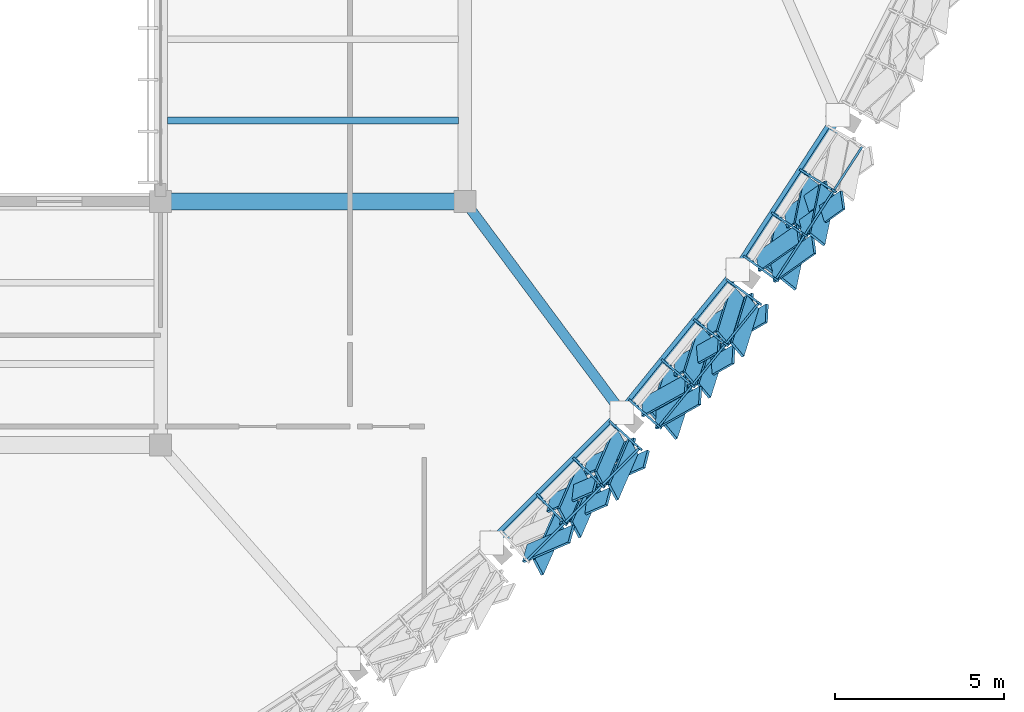
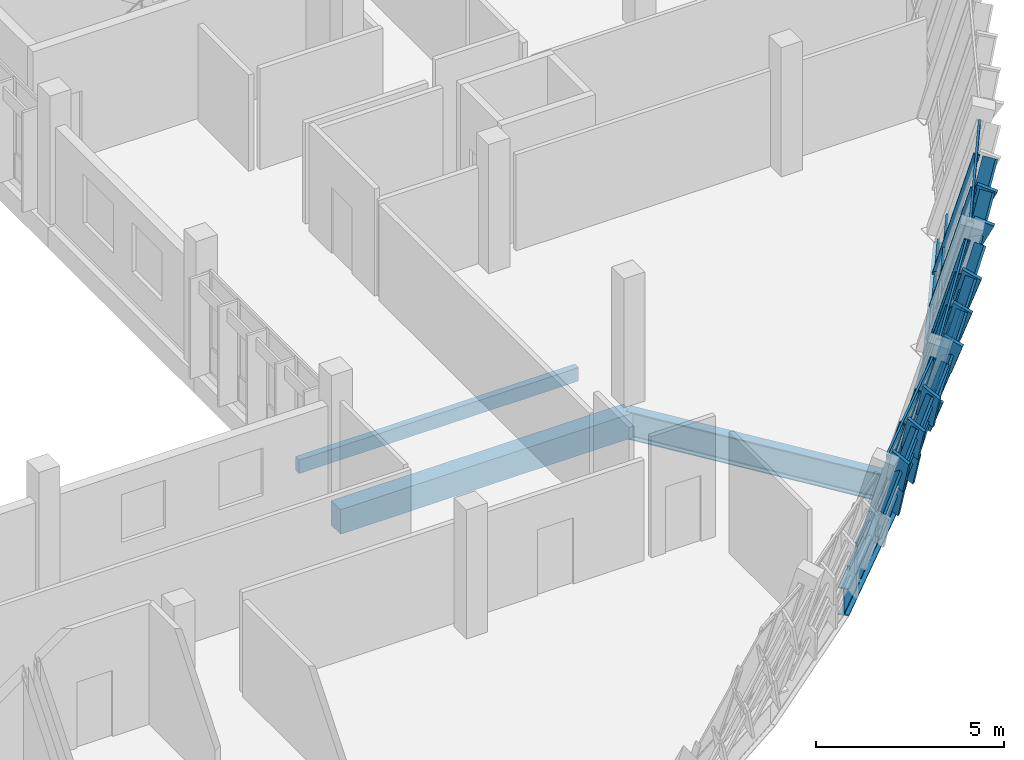
# One storey, part 92 of 182: 49 members, 6 beams, 3 elements without a shape of their own.
"""IFC4 building model written with IfcOpenShell, lengths in metres."""

import ifcopenshell
import ifcopenshell.guid

model = None  # the IFC model being written
_history = None  # IfcOwnerHistory: only IFC2X3 demands one
_inside = {}  # id of a spatial element -> (the spatial element, [elements in it])
_under = {}  # id of a project, library or spatial element -> (it, [spatial elements below it])
_declared = {}  # id of a project -> (the project, [libraries it declares])
_typed = {}  # id of a type object -> (the type object, [elements of that type])
_made_of = {}  # id of a material, layer set ... -> (it, [elements and type objects made of it])


def new_model(schema):
    """Start an empty IFC model of exactly this schema.

    Asked for "IFC4X3", IfcOpenShell would pick the latest addendum, in which some entities
    have other attributes; the version numbers below select the first issue.
    IFC2X3 requires an IfcOwnerHistory on every rooted entity: one is made here for all.
    """
    global model, _history
    if schema == "IFC4X3":
        model = ifcopenshell.file(schema_version=(4, 3, 0, 0))
    else:
        model = ifcopenshell.file(schema=schema)
    _inside.clear()
    _under.clear()
    _declared.clear()
    _typed.clear()
    _made_of.clear()
    _history = None
    if model.schema == "IFC2X3":
        org = make("IfcOrganization", Name="unknown")
        user = make(
            "IfcPersonAndOrganization",
            ThePerson=make("IfcPerson", FamilyName="unknown"),
            TheOrganization=org,
        )
        app = make(
            "IfcApplication",
            ApplicationDeveloper=org,
            Version="unknown",
            ApplicationFullName="unknown",
            ApplicationIdentifier="unknown",
        )
        _history = make(
            "IfcOwnerHistory",
            OwningUser=user,
            OwningApplication=app,
            ChangeAction="ADDED",
            CreationDate=0,
        )
    return model


def make(cls, **values):
    """One entity of the class cls with the attributes given. An attribute that is None is left unset."""
    return model.create_entity(
        cls, **{name: value for name, value in values.items() if value is not None}
    )


def rooted(cls, **values):
    """An entity with a GlobalId (a new one), such as an element, a storey or a relation."""
    return make(cls, GlobalId=ifcopenshell.guid.new(), OwnerHistory=_history, **values)


def si_unit(unit_type, name, prefix=None):
    """IfcSIUnit, for example si_unit("LENGTHUNIT", "METRE", prefix="MILLI")."""
    return make("IfcSIUnit", UnitType=unit_type, Prefix=prefix, Name=name)


def assignment(units):
    """IfcUnitAssignment: the units of a project."""
    return None if units is None else make("IfcUnitAssignment", Units=units)


def point(xyz):
    """IfcCartesianPoint."""
    return None if xyz is None else make("IfcCartesianPoint", Coordinates=xyz)


def direction(xyz):
    """IfcDirection."""
    return None if xyz is None else make("IfcDirection", DirectionRatios=xyz)


def frame(location, z_axis=None, x_axis=None):
    """IfcAxis2Placement3D, a coordinate frame: its origin and axes. An axis left out is left unset."""
    return make(
        "IfcAxis2Placement3D",
        Location=point(location),
        Axis=direction(z_axis),
        RefDirection=direction(x_axis),
    )


def frame_2d(location, x_axis=None):
    """IfcAxis2Placement2D, a coordinate frame in the plane: its origin and x axis."""
    return make(
        "IfcAxis2Placement2D", Location=point(location), RefDirection=direction(x_axis)
    )


def origin():
    """The frame at (0, 0, 0) with its axes left unset."""
    return frame((0.0, 0.0, 0.0))


def origin_2d():
    """The frame at (0, 0) in the plane with its x axis left unset."""
    return frame_2d((0.0, 0.0))


def place(relative_to, where):
    """IfcLocalPlacement: puts the frame where relative to a parent placement (None: the world)."""
    return make(
        "IfcLocalPlacement", PlacementRelTo=relative_to, RelativePlacement=where
    )


def context(
    kind, dimensions, precision=None, world=None, true_north=None, identifier=None
):
    """IfcGeometricRepresentationContext, for example the 3D "Model" context."""
    return make(
        "IfcGeometricRepresentationContext",
        ContextIdentifier=identifier,
        ContextType=kind,
        CoordinateSpaceDimension=dimensions,
        Precision=precision,
        WorldCoordinateSystem=world,
        TrueNorth=true_north,
    )


def subcontext(parent, identifier, kind, view, scale=None):
    """IfcGeometricRepresentationSubContext, for example "Body" below "Model"."""
    return make(
        "IfcGeometricRepresentationSubContext",
        ContextIdentifier=identifier,
        ContextType=kind,
        ParentContext=parent,
        TargetScale=scale,
        TargetView=view,
    )


def project(units=None, contexts=None):
    """IfcProject with its units and contexts."""
    return rooted(
        "IfcProject",
        Name="project",
        RepresentationContexts=contexts,
        UnitsInContext=assignment(units),
    )


def spatial(cls, under=None, at=None, **own):
    """A site, building, storey or space (cls), placed at a placement, below another one or the project."""
    s = rooted(cls, ObjectPlacement=at, **own)
    if under is not None:
        _under.setdefault(under.id(), (under, []))[1].append(s)
    return s


def profile(cls, at=None, kind="AREA", **sizes):
    """A parametric profile (cls). Its sizes go by their IFC names, for example OverallWidth=200.0."""
    return make(cls, ProfileType=kind, Position=at, **sizes)


def rectangle(**sizes):
    """IfcRectangleProfileDef."""
    return profile("IfcRectangleProfileDef", **sizes)


def hollow_rectangle(**sizes):
    """IfcRectangleHollowProfileDef."""
    return profile("IfcRectangleHollowProfileDef", **sizes)


def i_section(**sizes):
    """IfcIShapeProfileDef."""
    return profile("IfcIShapeProfileDef", **sizes)


def extrude(swept, where, along, depth):
    """IfcExtrudedAreaSolid: the profile swept, set in the frame where, extruded along a direction by depth."""
    return make(
        "IfcExtrudedAreaSolid",
        SweptArea=swept,
        Position=where,
        ExtrudedDirection=direction(along),
        Depth=depth,
    )


def shape(context_of_items, identifier, shape_type, items):
    """IfcShapeRepresentation: the items that make up one representation, for example the "Body"."""
    return make(
        "IfcShapeRepresentation",
        ContextOfItems=context_of_items,
        RepresentationIdentifier=identifier,
        RepresentationType=shape_type,
        Items=items,
    )


def material(Name=None, Category=None):
    """IfcMaterial."""
    return make("IfcMaterial", Name=Name, Category=Category)


def material_profile(
    of_material, cross_section, Name=None, Category=None, Priority=None
):
    """IfcMaterialProfile: a cross section and its material."""
    return make(
        "IfcMaterialProfile",
        Name=Name,
        Material=of_material,
        Profile=cross_section,
        Priority=Priority,
        Category=Category,
    )


def profile_set(profiles, Name=None, composite=None):
    """IfcMaterialProfileSet."""
    return make(
        "IfcMaterialProfileSet",
        Name=Name,
        MaterialProfiles=profiles,
        CompositeProfile=composite,
    )


def made_of(thing, what):
    """Note that an element or type object is made of a material, layer set ...; save() writes the relation."""
    if what is not None:
        _made_of.setdefault(what.id(), (what, []))[1].append(thing)
    return thing


def type_object(cls, material=None, **own):
    """A type object (cls), such as IfcWallType, which elements share."""
    return made_of(rooted(cls, **own), material)


def element(
    cls,
    number,
    at=None,
    inside=None,
    cuts=None,
    type_object=None,
    material=None,
    context=None,
    identifier="Body",
    shape_type=None,
    held_by="IfcProductDefinitionShape",
    body=None,
    shapes=None,
    **own,
):
    """One element of the class cls, such as IfcWall. Its Tag is "e" and its number.

    at: its placement. inside: the storey or other place that contains it. cuts: it is an
    opening in that element (IfcRelVoidsElement). A single representation is given by context,
    identifier, shape_type and body (its items); several are given by shapes. held_by: the class
    of the entity that holds the representations. save() writes the other relations.
    """
    e = rooted(cls, Tag="e%d" % number, ObjectPlacement=at, **own)
    if body is not None:
        shapes = [shape(context, identifier, shape_type, body)]
    if shapes is not None:
        e.Representation = make(held_by, Representations=shapes)
    if inside is not None:
        _inside.setdefault(inside.id(), (inside, []))[1].append(e)
    if cuts is not None:
        rooted(
            "IfcRelVoidsElement", RelatingBuildingElement=cuts, RelatedOpeningElement=e
        )
    if type_object is not None:
        _typed.setdefault(type_object.id(), (type_object, []))[1].append(e)
    return made_of(e, material)


def aggregate(whole, parts):
    """IfcRelAggregates: a whole, such as a stair, and the parts it consists of."""
    return rooted("IfcRelAggregates", RelatingObject=whole, RelatedObjects=parts)


def save(model, path):
    """Write the relations noted so far, then the file.

    IfcRelAggregates (storeys below a building ...), IfcRelContainedInSpatialStructure (elements
    in a storey), IfcRelDefinesByType, IfcRelAssociatesMaterial and IfcRelDeclares: one each for
    every whole, place, type object, material and project.
    """
    for whole, parts in _under.values():
        aggregate(whole, parts)
    for where, things in _inside.values():
        rooted(
            "IfcRelContainedInSpatialStructure",
            RelatedElements=things,
            RelatingStructure=where,
        )
    for kind, things in _typed.values():
        rooted("IfcRelDefinesByType", RelatedObjects=things, RelatingType=kind)
    for what, things in _made_of.values():
        rooted("IfcRelAssociatesMaterial", RelatedObjects=things, RelatingMaterial=what)
    for by, libraries in _declared.values():
        rooted("IfcRelDeclares", RelatingContext=by, RelatedDefinitions=libraries)
    model.write(path)


model = new_model("IFC4")

# Units and contexts
model_context = context("Model", 3, precision=1e-05, world=origin(), true_north=direction((0.0, 1.0)))
body_context = subcontext(model_context, "Body", "Model", "MODEL_VIEW")
ifc_project = project(units=[si_unit("LENGTHUNIT", "METRE"), si_unit("AREAUNIT", "SQUARE_METRE"), si_unit("VOLUMEUNIT", "CUBIC_METRE"), si_unit("PLANEANGLEUNIT", "RADIAN"), si_unit("MASSUNIT", "GRAM", prefix="KILO")], contexts=[model_context])

# Site, building, storey
site_placement = place(None, origin())
site = spatial("IfcSite", under=ifc_project, at=site_placement, CompositionType="ELEMENT")
building_placement = place(site_placement, origin())
building = spatial("IfcBuilding", under=site, at=building_placement, Name="Chiffa Square Polytechnic", CompositionType="ELEMENT")
storey_placement = place(building_placement, frame((0.0, 0.0, 9.60009765625)))
storey = spatial("IfcBuildingStorey", under=building, at=storey_placement, Name="L02", CompositionType="ELEMENT", Elevation=9.60009765625)

# Beam
ifc_material_1 = material(Name="Concrete C40/50", Category="concrete")
ifc_material_profile_1 = material_profile(ifc_material_1, rectangle(XDim=0.5, YDim=0.800048828125, at=origin_2d()), Name="RC 500x800")
ifc_profile_set_1 = profile_set([ifc_material_profile_1], Name="Concrete C40/50")
beam_type_1 = type_object("IfcBeamType", Name="BM-RC-500X800", PredefinedType="BEAM", material=ifc_profile_set_1)
beam_1_placement = place(storey_placement, frame((148.199951171875, 28.800048828125, -0.72021484375), z_axis=(1.0, 0.0, 0.0), x_axis=(0.0, 1.0, 0.0)))
element("IfcBeam", 1, at=beam_1_placement, inside=storey, type_object=beam_type_1, Name="Primary floor girder BM-V1-L02-X-1482-0288", PredefinedType="BEAM", context=body_context, shape_type="SweptSolid", body=[
    extrude(rectangle(XDim=0.5, YDim=0.800048828125, at=origin_2d()), origin(), (0.0, 0.0, 1.0), 9.0),
])

# Curtain wall, members
ifc_material_2 = material(Name="Aluminium EN AW-6060 T66 and glulam shading", Category="wood")
curtain_wall_type_1 = type_object("IfcCurtainWallType", Name="CW-PROW-LEAN-300", PredefinedType="USERDEFINED", material=ifc_material_2)
curtain_wall_1_placement = place(storey_placement, origin())
curtain_wall_1 = element("IfcCurtainWall", 2, at=curtain_wall_1_placement, inside=storey, type_object=curtain_wall_type_1, Name="Outward-leaning diamond-fin prow curtain wall CW-V1-L02-036", ObjectType="CURTAIN WALL", PredefinedType="USERDEFINED")
ifc_material_3 = material(Name="Aluminium EN AW-6060 T66", Category="aluminium")
ifc_material_profile_2 = material_profile(ifc_material_3, hollow_rectangle(XDim=0.06494140625, YDim=0.179931640625, WallThickness=0.00390625, at=origin_2d()), Name="ALU 65x180x4")
ifc_profile_set_2 = profile_set([ifc_material_profile_2], Name="Aluminium EN AW-6060 T66")
member_type_1 = type_object("IfcMemberType", Name="CWM-ALU-75X180", PredefinedType="MULLION", material=ifc_profile_set_2)
member_1_placement = place(storey_placement, frame((159.37939453125, 20.09033203125, 0.0), z_axis=(0.188854549934, -0.195533334144, 0.962341246236), x_axis=(0.719284277931, 0.694715860997, 0.0)))
member_1 = element("IfcMember", 3, at=member_1_placement, type_object=member_type_1, Name="Leaning prow mullion CW-V1-L02-036-M01", PredefinedType="MULLION", context=body_context, shape_type="SweptSolid", body=[
    extrude(hollow_rectangle(XDim=0.06494140625, YDim=0.179931640625, WallThickness=0.00390625, at=origin_2d()), origin(), (0.0, 0.0, 1.0), 4.09423828125),
])
member_2_placement = place(storey_placement, frame((160.459716796875, 21.170654296875, 0.0), z_axis=(0.195531131781, -0.188912054127, 0.962330407038), x_axis=(0.694829325761, 0.719174671455, 0.0)))
member_2 = element("IfcMember", 4, at=member_2_placement, type_object=member_type_1, Name="Leaning prow mullion CW-V1-L02-036-M02", PredefinedType="MULLION", context=body_context, shape_type="SweptSolid", body=[
    extrude(hollow_rectangle(XDim=0.06494140625, YDim=0.179931640625, WallThickness=0.00390625, at=origin_2d()), origin(), (0.0, 0.0, 1.0), 4.09423828125),
])
member_3_placement = place(storey_placement, frame((161.5400390625, 22.2509765625, 0.0), z_axis=(0.202191884487, -0.182217162782, 0.962244951889), x_axis=(0.669460805773, 0.742847379704, 0.0)))
member_3 = element("IfcMember", 5, at=member_3_placement, type_object=member_type_1, Name="Leaning prow mullion CW-V1-L02-036-M03", PredefinedType="MULLION", context=body_context, shape_type="SweptSolid", body=[
    extrude(hollow_rectangle(XDim=0.06494140625, YDim=0.179931640625, WallThickness=0.00390625, at=origin_2d()), origin(), (0.0, 0.0, 1.0), 4.094482421875),
])

curtain_wall_type_2 = type_object("IfcCurtainWallType", Name="CW-PROW-LEAN-150", PredefinedType="USERDEFINED", material=ifc_material_2)
curtain_wall_2_placement = place(storey_placement, origin())
curtain_wall_2 = element("IfcCurtainWall", 6, at=curtain_wall_2_placement, inside=storey, type_object=curtain_wall_type_2, Name="Outward-leaning diamond-fin prow curtain wall CW-V1-L02-037", ObjectType="CURTAIN WALL", PredefinedType="USERDEFINED")
member_4_placement = place(storey_placement, frame((162.114990234375, 22.888916015625, 0.0), z_axis=(0.202251268919, -0.182157319148, 0.962243802423), x_axis=(0.669230950529, 0.743054462912, 0.0)))
member_4 = element("IfcMember", 7, at=member_4_placement, type_object=member_type_1, Name="Leaning prow mullion CW-V1-L02-037-M00", PredefinedType="MULLION", context=body_context, shape_type="SweptSolid", body=[
    extrude(hollow_rectangle(XDim=0.06494140625, YDim=0.179931640625, WallThickness=0.00390625, at=origin_2d()), origin(), (0.0, 0.0, 1.0), 4.094482421875),
])
member_5_placement = place(storey_placement, frame((163.075927734375, 24.076416015625, 0.0), z_axis=(0.208288678382, -0.17483607358, 0.962313968429), x_axis=(0.642919492467, 0.765933760978, 0.0)))
member_5 = element("IfcMember", 8, at=member_5_placement, type_object=member_type_1, Name="Leaning prow mullion CW-V1-L02-037-M01", PredefinedType="MULLION", context=body_context, shape_type="SweptSolid", body=[
    extrude(hollow_rectangle(XDim=0.06494140625, YDim=0.179931640625, WallThickness=0.00390625, at=origin_2d()), origin(), (0.0, 0.0, 1.0), 4.09423828125),
])
member_6_placement = place(storey_placement, frame((164.037109375, 25.263671875, 0.0), z_axis=(0.214255052151, -0.167384896017, 0.962328981801), x_axis=(0.615639785846, 0.788027698805, 0.0)))
member_6 = element("IfcMember", 9, at=member_6_placement, type_object=member_type_1, Name="Leaning prow mullion CW-V1-L02-037-M02", PredefinedType="MULLION", context=body_context, shape_type="SweptSolid", body=[
    extrude(hollow_rectangle(XDim=0.06494140625, YDim=0.179931640625, WallThickness=0.00390625, at=origin_2d()), origin(), (0.0, 0.0, 1.0), 4.09423828125),
])
member_7_placement = place(storey_placement, frame((164.998046875, 26.450927734375, 0.0), z_axis=(0.220256181595, -0.159974914786, 0.962234504218), x_axis=(0.587663663531, 0.809105319823, 0.0)))
member_7 = element("IfcMember", 10, at=member_7_placement, type_object=member_type_1, Name="Leaning prow mullion CW-V1-L02-037-M03", PredefinedType="MULLION", context=body_context, shape_type="SweptSolid", body=[
    extrude(hollow_rectangle(XDim=0.06494140625, YDim=0.179931640625, WallThickness=0.00390625, at=origin_2d()), origin(), (0.0, 0.0, 1.0), 4.094482421875),
])

curtain_wall_3_placement = place(storey_placement, origin())
curtain_wall_3 = element("IfcCurtainWall", 11, at=curtain_wall_3_placement, inside=storey, type_object=curtain_wall_type_1, Name="Outward-leaning diamond-fin prow curtain wall CW-V1-L02-038", ObjectType="CURTAIN WALL", PredefinedType="USERDEFINED")
member_8_placement = place(storey_placement, frame((165.5029296875, 27.14599609375, 0.0), z_axis=(0.220312913271, -0.159972813615, 0.962221865866), x_axis=(0.587559531247, 0.809180942213, 0.0)))
member_8 = element("IfcMember", 12, at=member_8_placement, type_object=member_type_1, Name="Leaning prow mullion CW-V1-L02-038-M00", PredefinedType="MULLION", context=body_context, shape_type="SweptSolid", body=[
    extrude(hollow_rectangle(XDim=0.06494140625, YDim=0.179931640625, WallThickness=0.00390625, at=origin_2d()), origin(), (0.0, 0.0, 1.0), 4.0947265625),
])
member_9_placement = place(storey_placement, frame((166.3349609375, 28.427001953125, 0.0), z_axis=(0.225520534545, -0.151996785446, 0.962308404677), x_axis=(0.558892795638, 0.829239918832, 0.0)))
member_9 = element("IfcMember", 13, at=member_9_placement, type_object=member_type_1, Name="Leaning prow mullion CW-V1-L02-038-M01", PredefinedType="MULLION", context=body_context, shape_type="SweptSolid", body=[
    extrude(hollow_rectangle(XDim=0.06494140625, YDim=0.179931640625, WallThickness=0.00390625, at=origin_2d()), origin(), (0.0, 0.0, 1.0), 4.09423828125),
])
member_10_placement = place(storey_placement, frame((167.1669921875, 29.7080078125, 0.0), z_axis=(0.230764607448, -0.144004270539, 0.962294375966), x_axis=(0.529407665809, 0.848367563844, 0.0)))
member_10 = element("IfcMember", 14, at=member_10_placement, type_object=member_type_1, Name="Leaning prow mullion CW-V1-L02-038-M02", PredefinedType="MULLION", context=body_context, shape_type="SweptSolid", body=[
    extrude(hollow_rectangle(XDim=0.06494140625, YDim=0.179931640625, WallThickness=0.00390625, at=origin_2d()), origin(), (0.0, 0.0, 1.0), 4.09423828125),
])

# Member
ifc_material_4 = material(Name="Glulam GL28h", Category="wood")
ifc_material_profile_3 = material_profile(ifc_material_4, rectangle(XDim=0.080078125, YDim=0.580078125, at=origin_2d()), Name="GL28h 80x580")
ifc_profile_set_3 = profile_set([ifc_material_profile_3], Name="Glulam GL28h")
member_type_2 = type_object("IfcMemberType", Name="CWM-GL-80X580", PredefinedType="MULLION", material=ifc_profile_set_3)
member_11_placement = place(storey_placement, frame((158.9970703125, 18.39111328125, 1.969970703125), z_axis=(0.557101951485, 0.239318443948, 0.795213240608), x_axis=(-0.795742594699, 0.427756673825, 0.428739957294)))
member_11 = element("IfcMember", 15, at=member_11_placement, type_object=member_type_2, Name="Diamond glulam fin CW-V1-L02-036-DF02A", PredefinedType="MULLION", context=body_context, shape_type="SweptSolid", body=[
    extrude(rectangle(XDim=0.080078125, YDim=0.580078125, at=origin_2d()), origin(), (0.0, 0.0, 1.0), 2.427001953125),
])

member_12_placement = place(storey_placement, frame((159.970947265625, 19.364990234375, 1.969970703125), z_axis=(-0.248269882768, -0.563143894729, 0.788182097703), x_axis=(0.871846185402, 0.224721468867, 0.435183283721)))
member_12 = element("IfcMember", 16, at=member_12_placement, type_object=member_type_2, Name="Diamond glulam fin CW-V1-L02-036-DF02B", PredefinedType="MULLION", context=body_context, shape_type="SweptSolid", body=[
    extrude(rectangle(XDim=0.080078125, YDim=0.580078125, at=origin_2d()), origin(), (0.0, 0.0, 1.0), 2.448486328125),
])

member_13_placement = place(storey_placement, frame((159.7119140625, 19.8759765625, 0.039794921875), z_axis=(0.557213918904, 0.24009867166, 0.794899538588), x_axis=(-0.796012640995, 0.426961958024, 0.429030723581)))
member_13 = element("IfcMember", 17, at=member_13_placement, type_object=member_type_2, Name="Diamond glulam fin CW-V1-L02-036-DF03A", PredefinedType="MULLION", context=body_context, shape_type="SweptSolid", body=[
    extrude(rectangle(XDim=0.080078125, YDim=0.580078125, at=origin_2d()), origin(), (0.0, 0.0, 1.0), 2.42822265625),
])

member_14_placement = place(storey_placement, frame((160.674072265625, 20.837890625, 0.039794921875), z_axis=(-0.240112122967, -0.557144586833, 0.7949440721), x_axis=(0.871839936154, 0.236353896965, 0.428989465042)))
member_14 = element("IfcMember", 18, at=member_14_placement, type_object=member_type_2, Name="Diamond glulam fin CW-V1-L02-036-DF03B", PredefinedType="MULLION", context=body_context, shape_type="SweptSolid", body=[
    extrude(rectangle(XDim=0.080078125, YDim=0.580078125, at=origin_2d()), origin(), (0.0, 0.0, 1.0), 2.427978515625),
])

member_15_placement = place(storey_placement, frame((160.091064453125, 19.485107421875, 1.969970703125), z_axis=(0.56003099934, 0.243705137077, 0.791816320835), x_axis=(-0.795544469648, 0.424965339508, 0.431872037796)))
member_15 = element("IfcMember", 19, at=member_15_placement, type_object=member_type_2, Name="Diamond glulam fin CW-V1-L02-036-DF04A", PredefinedType="MULLION", context=body_context, shape_type="SweptSolid", body=[
    extrude(rectangle(XDim=0.080078125, YDim=0.580078125, at=origin_2d()), origin(), (0.0, 0.0, 1.0), 2.437255859375),
])

member_16_placement = place(storey_placement, frame((161.06494140625, 20.458984375, 1.969970703125), z_axis=(-0.243705137077, -0.56003099934, 0.791816320835), x_axis=(0.871786823931, 0.231245057441, 0.431872037796)))
member_16 = element("IfcMember", 20, at=member_16_placement, type_object=member_type_2, Name="Diamond glulam fin CW-V1-L02-036-DF04B", PredefinedType="MULLION", context=body_context, shape_type="SweptSolid", body=[
    extrude(rectangle(XDim=0.080078125, YDim=0.580078125, at=origin_2d()), origin(), (0.0, 0.0, 1.0), 2.437255859375),
])

member_17_placement = place(storey_placement, frame((160.7919921875, 20.95703125, 0.039794921875), z_axis=(0.560426717982, 0.244329633612, 0.791343745734), x_axis=(-0.795526248607, 0.424559123955, 0.432304913278)))
member_17 = element("IfcMember", 21, at=member_17_placement, type_object=member_type_2, Name="Diamond glulam fin CW-V1-L02-036-DF05A", PredefinedType="MULLION", context=body_context, shape_type="SweptSolid", body=[
    extrude(rectangle(XDim=0.080078125, YDim=0.580078125, at=origin_2d()), origin(), (0.0, 0.0, 1.0), 2.439208984375),
])

member_18_placement = place(storey_placement, frame((161.75390625, 21.9189453125, 0.039794921875), z_axis=(-0.235303267787, -0.554225035887, 0.798415294045), x_axis=(0.871506410412, 0.243331188905, 0.425754047682)))
member_18 = element("IfcMember", 22, at=member_18_placement, type_object=member_type_2, Name="Diamond glulam fin CW-V1-L02-036-DF05B", PredefinedType="MULLION", context=body_context, shape_type="SweptSolid", body=[
    extrude(rectangle(XDim=0.080078125, YDim=0.580078125, at=origin_2d()), origin(), (0.0, 0.0, 1.0), 2.41748046875),
])

member_19_placement = place(storey_placement, frame((161.18505859375, 20.5791015625, 1.969970703125), z_axis=(0.563143894729, 0.248269882768, 0.788182097703), x_axis=(-0.795216458117, 0.422192248046, 0.435183283721)))
member_19 = element("IfcMember", 23, at=member_19_placement, type_object=member_type_2, Name="Diamond glulam fin CW-V1-L02-036-DF06A", PredefinedType="MULLION", context=body_context, shape_type="SweptSolid", body=[
    extrude(rectangle(XDim=0.080078125, YDim=0.580078125, at=origin_2d()), origin(), (0.0, 0.0, 1.0), 2.448486328125),
])

member_20_placement = place(storey_placement, frame((162.158935546875, 21.552978515625, 1.969970703125), z_axis=(-0.239413275278, -0.55708853718, 0.795194092887), x_axis=(0.871667768328, 0.237407085696, 0.428757714005)))
member_20 = element("IfcMember", 24, at=member_20_placement, type_object=member_type_2, Name="Diamond glulam fin CW-V1-L02-036-DF06B", PredefinedType="MULLION", context=body_context, shape_type="SweptSolid", body=[
    extrude(rectangle(XDim=0.080078125, YDim=0.580078125, at=origin_2d()), origin(), (0.0, 0.0, 1.0), 2.427001953125),
])

member_21_placement = place(storey_placement, frame((162.468017578125, 22.7109375, 0.039794921875), z_axis=(0.526317725768, 0.291747714399, 0.798669470235), x_axis=(-0.847963773591, 0.249496840767, 0.467663089334)))
member_21 = element("IfcMember", 25, at=member_21_placement, type_object=member_type_2, Name="Diamond glulam fin CW-V1-L02-037-DF01A", PredefinedType="MULLION", context=body_context, shape_type="SweptSolid", body=[
    extrude(rectangle(XDim=0.080078125, YDim=0.580078125, at=origin_2d()), origin(), (0.0, 0.0, 1.0), 2.416748046875),
])

member_22_placement = place(storey_placement, frame((163.322998046875, 23.76806640625, 0.039794921875), z_axis=(-0.184068147587, -0.58303260451, 0.791322879185), x_axis=(0.785267437686, 0.396977913395, 0.475145859275)))
member_22 = element("IfcMember", 26, at=member_22_placement, type_object=member_type_2, Name="Diamond glulam fin CW-V1-L02-037-DF01B", PredefinedType="MULLION", context=body_context, shape_type="SweptSolid", body=[
    extrude(rectangle(XDim=0.080078125, YDim=0.580078125, at=origin_2d()), origin(), (0.0, 0.0, 1.0), 2.439208984375),
])

member_23_placement = place(storey_placement, frame((162.8740234375, 22.345947265625, 1.969970703125), z_axis=(0.528743010628, 0.296317443635, 0.795378401335), x_axis=(-0.846884626737, 0.246797970416, 0.471038417537)))
member_23 = element("IfcMember", 27, at=member_23_placement, type_object=member_type_2, Name="Diamond glulam fin CW-V1-L02-037-DF02A", PredefinedType="MULLION", context=body_context, shape_type="SweptSolid", body=[
    extrude(rectangle(XDim=0.080078125, YDim=0.580078125, at=origin_2d()), origin(), (0.0, 0.0, 1.0), 2.426513671875),
])

member_24_placement = place(storey_placement, frame((163.739990234375, 23.416015625, 1.969970703125), z_axis=(-0.187891168535, -0.585813547758, 0.788365014476), x_axis=(0.786369410623, 0.391200174983, 0.478106236238)))
member_24 = element("IfcMember", 28, at=member_24_placement, type_object=member_type_2, Name="Diamond glulam fin CW-V1-L02-037-DF02B", PredefinedType="MULLION", context=body_context, shape_type="SweptSolid", body=[
    extrude(rectangle(XDim=0.080078125, YDim=0.580078125, at=origin_2d()), origin(), (0.0, 0.0, 1.0), 2.447998046875),
])

member_25_placement = place(storey_placement, frame((163.428955078125, 23.89794921875, 0.039794921875), z_axis=(0.529226362905, 0.29688553375, 0.794844913588), x_axis=(-0.846628410409, 0.246638944817, 0.47158198183)))
member_25 = element("IfcMember", 29, at=member_25_placement, type_object=member_type_2, Name="Diamond glulam fin CW-V1-L02-037-DF03A", PredefinedType="MULLION", context=body_context, shape_type="SweptSolid", body=[
    extrude(rectangle(XDim=0.080078125, YDim=0.580078125, at=origin_2d()), origin(), (0.0, 0.0, 1.0), 2.428466796875),
])

member_26_placement = place(storey_placement, frame((164.283935546875, 24.955078125, 0.039794921875), z_axis=(-0.18001543547, -0.579166979257, 0.795084934539), x_axis=(0.784359579442, 0.403262896942, 0.47133755005)))
member_26 = element("IfcMember", 30, at=member_26_placement, type_object=member_type_2, Name="Diamond glulam fin CW-V1-L02-037-DF03B", PredefinedType="MULLION", context=body_context, shape_type="SweptSolid", body=[
    extrude(rectangle(XDim=0.080078125, YDim=0.580078125, at=origin_2d()), origin(), (0.0, 0.0, 1.0), 2.427734375),
])

member_27_placement = place(storey_placement, frame((163.846923828125, 23.549072265625, 1.969970703125), z_axis=(0.531734120882, 0.30067165773, 0.791741990125), x_axis=(-0.845362286178, 0.2449484232, 0.474723998845)))
member_27 = element("IfcMember", 31, at=member_27_placement, type_object=member_type_2, Name="Diamond glulam fin CW-V1-L02-037-DF04A", PredefinedType="MULLION", context=body_context, shape_type="SweptSolid", body=[
    extrude(rectangle(XDim=0.080078125, YDim=0.580078125, at=origin_2d()), origin(), (0.0, 0.0, 1.0), 2.4375),
])

member_28_placement = place(storey_placement, frame((164.714111328125, 24.618896484375, 1.969970703125), z_axis=(-0.183792364988, -0.582526645651, 0.79175947969), x_axis=(0.785297597226, 0.397443750885, 0.474706381538)))
member_28 = element("IfcMember", 32, at=member_28_placement, type_object=member_type_2, Name="Diamond glulam fin CW-V1-L02-037-DF04B", PredefinedType="MULLION", context=body_context, shape_type="SweptSolid", body=[
    extrude(rectangle(XDim=0.080078125, YDim=0.580078125, at=origin_2d()), origin(), (0.0, 0.0, 1.0), 2.4375),
])

member_29_placement = place(storey_placement, frame((164.389892578125, 25.0859375, 0.039794921875), z_axis=(0.531834959965, 0.301403174187, 0.791396046205), x_axis=(-0.845363260177, 0.244268930792, 0.475072255339)))
member_29 = element("IfcMember", 33, at=member_29_placement, type_object=member_type_2, Name="Diamond glulam fin CW-V1-L02-037-DF05A", PredefinedType="MULLION", context=body_context, shape_type="SweptSolid", body=[
    extrude(rectangle(XDim=0.080078125, YDim=0.580078125, at=origin_2d()), origin(), (0.0, 0.0, 1.0), 2.43896484375),
])

member_30_placement = place(storey_placement, frame((165.24609375, 26.14306640625, 0.039794921875), z_axis=(-0.175823857753, -0.575845856925, 0.798428155883), x_axis=(0.783087794034, 0.409673010546, 0.467911884082)))
member_30 = element("IfcMember", 34, at=member_30_placement, type_object=member_type_2, Name="Diamond glulam fin CW-V1-L02-037-DF05B", PredefinedType="MULLION", context=body_context, shape_type="SweptSolid", body=[
    extrude(rectangle(XDim=0.080078125, YDim=0.580078125, at=origin_2d()), origin(), (0.0, 0.0, 1.0), 2.41748046875),
])

member_31_placement = place(storey_placement, frame((164.821044921875, 24.7509765625, 1.969970703125), z_axis=(0.533817358089, 0.305950243717, 0.788310520399), x_axis=(-0.844455419664, 0.241366069488, 0.478160500983)))
member_31 = element("IfcMember", 35, at=member_31_placement, type_object=member_type_2, Name="Diamond glulam fin CW-V1-L02-037-DF06A", PredefinedType="MULLION", context=body_context, shape_type="SweptSolid", body=[
    extrude(rectangle(XDim=0.080078125, YDim=0.580078125, at=origin_2d()), origin(), (0.0, 0.0, 1.0), 2.4482421875),
])

member_32_placement = place(storey_placement, frame((165.68701171875, 25.821044921875, 1.969970703125), z_axis=(-0.17968239123, -0.578987772414, 0.795290762977), x_axis=(0.784230740283, 0.403758295964, 0.471127779307)))
member_32 = element("IfcMember", 36, at=member_32_placement, type_object=member_type_2, Name="Diamond glulam fin CW-V1-L02-037-DF06B", PredefinedType="MULLION", context=body_context, shape_type="SweptSolid", body=[
    extrude(rectangle(XDim=0.080078125, YDim=0.580078125, at=origin_2d()), origin(), (0.0, 0.0, 1.0), 2.4267578125),
])

member_33_placement = place(storey_placement, frame((165.8720703125, 27.006103515625, 0.039794921875), z_axis=(0.493442503853, 0.344985590086, 0.79843561921), x_axis=(-0.860871674527, 0.062678131465, 0.504946939622)))
member_33 = element("IfcMember", 37, at=member_33_placement, type_object=member_type_2, Name="Diamond glulam fin CW-V1-L02-038-DF01A", PredefinedType="MULLION", context=body_context, shape_type="SweptSolid", body=[
    extrude(rectangle(XDim=0.080078125, YDim=0.580078125, at=origin_2d()), origin(), (0.0, 0.0, 1.0), 2.41748046875),
])

member_34_placement = place(storey_placement, frame((166.613037109375, 28.14599609375, 0.039794921875), z_axis=(-0.122249187975, -0.59873066674, 0.791565995192), x_axis=(0.666437060874, 0.541486418624, 0.512497904717)))
member_34 = element("IfcMember", 38, at=member_34_placement, type_object=member_type_2, Name="Diamond glulam fin CW-V1-L02-038-DF01B", PredefinedType="MULLION", context=body_context, shape_type="SweptSolid", body=[
    extrude(rectangle(XDim=0.080078125, YDim=0.580078125, at=origin_2d()), origin(), (0.0, 0.0, 1.0), 2.4384765625),
])

member_35_placement = place(storey_placement, frame((166.31494140625, 26.68603515625, 1.969970703125), z_axis=(0.495016530338, 0.349831804062, 0.795346681366), x_axis=(-0.859062452622, 0.059812556973, 0.508364200671)))
member_35 = element("IfcMember", 39, at=member_35_placement, type_object=member_type_2, Name="Diamond glulam fin CW-V1-L02-038-DF02A", PredefinedType="MULLION", context=body_context, shape_type="SweptSolid", body=[
    extrude(rectangle(XDim=0.080078125, YDim=0.580078125, at=origin_2d()), origin(), (0.0, 0.0, 1.0), 2.426513671875),
])

member_36_placement = place(storey_placement, frame((167.06494140625, 27.840087890625, 1.969970703125), z_axis=(-0.125763035489, -0.602186525203, 0.788387625327), x_axis=(0.668307318715, 0.535890974832, 0.515932351036)))
member_36 = element("IfcMember", 40, at=member_36_placement, type_object=member_type_2, Name="Diamond glulam fin CW-V1-L02-038-DF02B", PredefinedType="MULLION", context=body_context, shape_type="SweptSolid", body=[
    extrude(rectangle(XDim=0.080078125, YDim=0.580078125, at=origin_2d()), origin(), (0.0, 0.0, 1.0), 2.447998046875),
])

member_37_placement = place(storey_placement, frame((166.705078125, 28.287109375, 0.039794921875), z_axis=(0.495065261148, 0.350457533029, 0.795040819548), x_axis=(-0.858900430003, 0.059276851864, 0.508700605636)))
member_37 = element("IfcMember", 41, at=member_37_placement, type_object=member_type_2, Name="Diamond glulam fin CW-V1-L02-038-DF03A", PredefinedType="MULLION", context=body_context, shape_type="SweptSolid", body=[
    extrude(rectangle(XDim=0.080078125, YDim=0.580078125, at=origin_2d()), origin(), (0.0, 0.0, 1.0), 2.427734375),
])

member_38_placement = place(storey_placement, frame((167.445068359375, 29.427001953125, 0.039794921875), z_axis=(-0.118663726295, -0.594827068676, 0.79504696618), x_axis=(0.664562442583, 0.547345711807, 0.50869384867)))
member_38 = element("IfcMember", 42, at=member_38_placement, type_object=member_type_2, Name="Diamond glulam fin CW-V1-L02-038-DF03B", PredefinedType="MULLION", context=body_context, shape_type="SweptSolid", body=[
    extrude(rectangle(XDim=0.080078125, YDim=0.580078125, at=origin_2d()), origin(), (0.0, 0.0, 1.0), 2.427734375),
])

member_39_placement = place(storey_placement, frame((167.156982421875, 27.98291015625, 1.969970703125), z_axis=(0.497565104434, 0.354774233248, 0.79155809027), x_axis=(-0.856718888562, 0.058050334699, 0.512506492274)))
member_39 = element("IfcMember", 43, at=member_39_placement, type_object=member_type_2, Name="Diamond glulam fin CW-V1-L02-038-DF04A", PredefinedType="MULLION", context=body_context, shape_type="SweptSolid", body=[
    extrude(rectangle(XDim=0.080078125, YDim=0.580078125, at=origin_2d()), origin(), (0.0, 0.0, 1.0), 2.438232421875),
])

member_40_placement = place(storey_placement, frame((167.906982421875, 29.137939453125, 1.969970703125), z_axis=(-0.121794871184, -0.598557689305, 0.791766822952), x_axis=(0.666106566627, 0.542099247955, 0.51227965728)))
member_40 = element("IfcMember", 44, at=member_40_placement, type_object=member_type_2, Name="Diamond glulam fin CW-V1-L02-038-DF04B", PredefinedType="MULLION", context=body_context, shape_type="SweptSolid", body=[
    extrude(rectangle(XDim=0.080078125, YDim=0.580078125, at=origin_2d()), origin(), (0.0, 0.0, 1.0), 2.4375),
])

ifc_material_profile_4 = material_profile(ifc_material_3, hollow_rectangle(XDim=0.06494140625, YDim=0.139892578125, WallThickness=0.00390625, at=origin_2d()), Name="ALU 65x140x4")
ifc_profile_set_4 = profile_set([ifc_material_profile_4], Name="Aluminium EN AW-6060 T66")
member_type_3 = type_object("IfcMemberType", Name="CWT-ALU-75X140", PredefinedType="USERDEFINED", material=ifc_profile_set_4)
member_41_placement = place(storey_placement, frame((158.306640625, 19.001708984375, 0.039794921875), z_axis=(0.707106781187, 0.707106781187, 0.0), x_axis=(-0.707106781187, 0.707106781187, 0.0)))
member_41 = element("IfcMember", 45, at=member_41_placement, type_object=member_type_3, Name="Leaning prow transom CW-V1-L02-036-T01", ObjectType="TRANSOM", PredefinedType="USERDEFINED", context=body_context, shape_type="SweptSolid", body=[
    extrude(hollow_rectangle(XDim=0.06494140625, YDim=0.139892578125, WallThickness=0.00390625, at=origin_2d()), origin(), (0.0, 0.0, 1.0), 4.58447265625),
])

member_42_placement = place(storey_placement, frame((158.4599609375, 18.831298828125, 0.849853515625), z_axis=(0.70708029233, 0.707133269051, 0.0), x_axis=(-0.707133269051, 0.70708029233, 0.0)))
member_42 = element("IfcMember", 46, at=member_42_placement, type_object=member_type_3, Name="Leaning prow transom CW-V1-L02-036-T02", ObjectType="TRANSOM", PredefinedType="USERDEFINED", context=body_context, shape_type="SweptSolid", body=[
    extrude(hollow_rectangle(XDim=0.06494140625, YDim=0.139892578125, WallThickness=0.00390625, at=origin_2d()), origin(), (0.0, 0.0, 1.0), 4.6083984375),
])

member_43_placement = place(storey_placement, frame((159.037353515625, 18.1904296875, 3.89990234375), z_axis=(0.707106781187, 0.707106781187, 0.0), x_axis=(-0.707106781187, 0.707106781187, 0.0)))
member_43 = element("IfcMember", 47, at=member_43_placement, type_object=member_type_3, Name="Leaning prow transom CW-V1-L02-036-T03", ObjectType="TRANSOM", PredefinedType="USERDEFINED", context=body_context, shape_type="SweptSolid", body=[
    extrude(hollow_rectangle(XDim=0.06494140625, YDim=0.139892578125, WallThickness=0.00390625, at=origin_2d()), origin(), (0.0, 0.0, 1.0), 4.698486328125),
])

aggregate(curtain_wall_1, [member_1, member_2, member_3, member_41, member_42, member_43, member_11, member_12, member_13, member_14, member_15, member_16, member_17, member_18, member_19, member_20])

member_44_placement = place(storey_placement, frame((162.123291015625, 22.88134765625, 0.039794921875), z_axis=(0.629127745469, 0.777301923245, 0.0), x_axis=(-0.777301923245, 0.629127745469, 0.0)))
member_44 = element("IfcMember", 48, at=member_44_placement, type_object=member_type_3, Name="Leaning prow transom CW-V1-L02-037-T01", ObjectType="TRANSOM", PredefinedType="USERDEFINED", context=body_context, shape_type="SweptSolid", body=[
    extrude(hollow_rectangle(XDim=0.06494140625, YDim=0.139892578125, WallThickness=0.00390625, at=origin_2d()), origin(), (0.0, 0.0, 1.0), 4.583740234375),
])

member_45_placement = place(storey_placement, frame((162.293701171875, 22.72802734375, 0.849853515625), z_axis=(0.629117444686, 0.777310260316, 0.0), x_axis=(-0.777310260316, 0.629117444686, 0.0)))
member_45 = element("IfcMember", 49, at=member_45_placement, type_object=member_type_3, Name="Leaning prow transom CW-V1-L02-037-T02", ObjectType="TRANSOM", PredefinedType="USERDEFINED", context=body_context, shape_type="SweptSolid", body=[
    extrude(hollow_rectangle(XDim=0.06494140625, YDim=0.139892578125, WallThickness=0.00390625, at=origin_2d()), origin(), (0.0, 0.0, 1.0), 4.60791015625),
])

member_46_placement = place(storey_placement, frame((162.9345703125, 22.150634765625, 3.89990234375), z_axis=(0.629202713013, 0.777241240502, 0.0), x_axis=(-0.777241240502, 0.629202713013, 0.0)))
member_46 = element("IfcMember", 50, at=member_46_placement, type_object=member_type_3, Name="Leaning prow transom CW-V1-L02-037-T03", ObjectType="TRANSOM", PredefinedType="USERDEFINED", context=body_context, shape_type="SweptSolid", body=[
    extrude(hollow_rectangle(XDim=0.06494140625, YDim=0.139892578125, WallThickness=0.00390625, at=origin_2d()), origin(), (0.0, 0.0, 1.0), 4.698486328125),
])

aggregate(curtain_wall_2, [member_4, member_5, member_6, member_7, member_44, member_45, member_46, member_21, member_22, member_23, member_24, member_25, member_26, member_27, member_28, member_29, member_30, member_31, member_32])

member_47_placement = place(storey_placement, frame((165.51220703125, 27.139404296875, 0.039794921875), z_axis=(0.544679400143, 0.838644353144, 0.0), x_axis=(-0.838644353144, 0.544679400143, 0.0)))
member_47 = element("IfcMember", 51, at=member_47_placement, type_object=member_type_3, Name="Leaning prow transom CW-V1-L02-038-T01", ObjectType="TRANSOM", PredefinedType="USERDEFINED", context=body_context, shape_type="SweptSolid", body=[
    extrude(hollow_rectangle(XDim=0.06494140625, YDim=0.139892578125, WallThickness=0.00390625, at=origin_2d()), origin(), (0.0, 0.0, 1.0), 4.58349609375),
])

member_48_placement = place(storey_placement, frame((165.697509765625, 27.004638671875, 0.849853515625), z_axis=(0.544720147711, 0.838617887168, 0.0), x_axis=(-0.838617887168, 0.544720147711, 0.0)))
member_48 = element("IfcMember", 52, at=member_48_placement, type_object=member_type_3, Name="Leaning prow transom CW-V1-L02-038-T02", ObjectType="TRANSOM", PredefinedType="USERDEFINED", context=body_context, shape_type="SweptSolid", body=[
    extrude(hollow_rectangle(XDim=0.06494140625, YDim=0.139892578125, WallThickness=0.00390625, at=origin_2d()), origin(), (0.0, 0.0, 1.0), 4.60791015625),
])

member_49_placement = place(storey_placement, frame((166.395751953125, 26.49755859375, 3.89990234375), z_axis=(0.544719836021, 0.838618089625, 0.0), x_axis=(-0.838618089625, 0.544719836021, 0.0)))
member_49 = element("IfcMember", 53, at=member_49_placement, type_object=member_type_3, Name="Leaning prow transom CW-V1-L02-038-T03", ObjectType="TRANSOM", PredefinedType="USERDEFINED", context=body_context, shape_type="SweptSolid", body=[
    extrude(hollow_rectangle(XDim=0.06494140625, YDim=0.139892578125, WallThickness=0.00390625, at=origin_2d()), origin(), (0.0, 0.0, 1.0), 4.698486328125),
])

aggregate(curtain_wall_3, [member_8, member_9, member_10, member_47, member_48, member_49, member_33, member_34, member_35, member_36, member_37, member_38, member_39, member_40])

# Beams
ifc_material_profile_5 = material_profile(ifc_material_4, rectangle(XDim=0.199951171875, YDim=0.43994140625, at=origin_2d()), Name="GL28h 200x440")
ifc_profile_set_5 = profile_set([ifc_material_profile_5], Name="Glulam GL28h")
beam_type_2 = type_object("IfcBeamType", Name="JST-GL-200X440", PredefinedType="JOIST", material=ifc_profile_set_5)
beam_2_placement = place(storey_placement, frame((148.39794921875, 31.199951171875, -0.5400390625), z_axis=(1.0, 0.0, 0.0), x_axis=(0.0, 1.0, 0.0)))
element("IfcBeam", 54, at=beam_2_placement, inside=storey, type_object=beam_type_2, Name="Secondary floor joist JST-V1-L02-1482-0312", PredefinedType="JOIST", context=body_context, shape_type="SweptSolid", body=[
    extrude(rectangle(XDim=0.199951171875, YDim=0.43994140625, at=origin_2d()), origin(), (0.0, 0.0, 1.0), 8.60400390625),
])
ifc_material_5 = material(Name="Steel S355", Category="steel")
ifc_material_profile_6 = material_profile(ifc_material_5, i_section(OverallWidth=0.300048828125, OverallDepth=0.89990234375, WebThickness=0.0185546875, FlangeThickness=0.031982421875, FilletRadius=0.030029296875, at=origin_2d()), Name="HEB 900")
ifc_profile_set_6 = profile_set([ifc_material_profile_6], Name="Steel S355")
beam_type_3 = type_object("IfcBeamType", Name="TG-STL-HEB900", PredefinedType="USERDEFINED", material=ifc_profile_set_6)
beam_3_placement = place(storey_placement, frame((157.9951171875, 18.7060546875, -0.77001953125), z_axis=(0.707106781187, 0.707106781187, 0.0), x_axis=(-0.707106781187, 0.707106781187, 0.0)))
element("IfcBeam", 55, at=beam_3_placement, inside=storey, type_object=beam_type_3, Name="Prow perimeter transfer girder TG-V1-L02-10", ObjectType="TRANSFER GIRDER", PredefinedType="USERDEFINED", context=body_context, shape_type="SweptSolid", body=[
    extrude(i_section(OverallWidth=0.300048828125, OverallDepth=0.89990234375, WebThickness=0.0185546875, FlangeThickness=0.031982421875, FilletRadius=0.030029296875, at=origin_2d()), origin(), (0.0, 0.0, 1.0), 5.443115234375),
])
for number, where, z_axis, x_axis, name in (
    (56, (161.843994140625, 22.554931640625, -0.77001953125), (0.629284680087, 0.777174878266, 0.0), (-0.777174878266, 0.629284680087, 0.0), "Prow perimeter transfer girder TG-V1-L02-11"),
    (57, (165.26904296875, 26.784912109375, -0.77001953125), (0.544535782922, 0.838737611603, 0.0), (-0.838737611603, 0.544535782922, 0.0), "Prow perimeter transfer girder TG-V1-L02-12"),
):
    element("IfcBeam", number, at=place(storey_placement, frame(where, z_axis=z_axis, x_axis=x_axis)), inside=storey, type_object=beam_type_3, Name=name, ObjectType="TRANSFER GIRDER", PredefinedType="USERDEFINED", context=body_context, shape_type="SweptSolid", body=[
        extrude(i_section(OverallWidth=0.300048828125, OverallDepth=0.89990234375, WebThickness=0.0185546875, FlangeThickness=0.031982421875, FilletRadius=0.030029296875, at=origin_2d()), origin(), (0.0, 0.0, 1.0), 5.44287109375),
    ])
beam_4_placement = place(storey_placement, frame((161.843994140625, 22.554931640625, -0.77001953125), z_axis=(-0.596722448858, 0.802447704856, 0.0), x_axis=(-0.802447704856, -0.596722448858, 0.0)))
element("IfcBeam", 58, at=beam_4_placement, inside=storey, type_object=beam_type_3, Name="Prow radial transfer girder TG-V1-RAD-L02-11", ObjectType="TRANSFER GIRDER", PredefinedType="USERDEFINED", context=body_context, shape_type="SweptSolid", body=[
    extrude(i_section(OverallWidth=0.300048828125, OverallDepth=0.89990234375, WebThickness=0.0185546875, FlangeThickness=0.031982421875, FilletRadius=0.030029296875, at=origin_2d()), origin(), (0.0, 0.0, 1.0), 7.782470703125),
])

save(model, "model.ifc")
